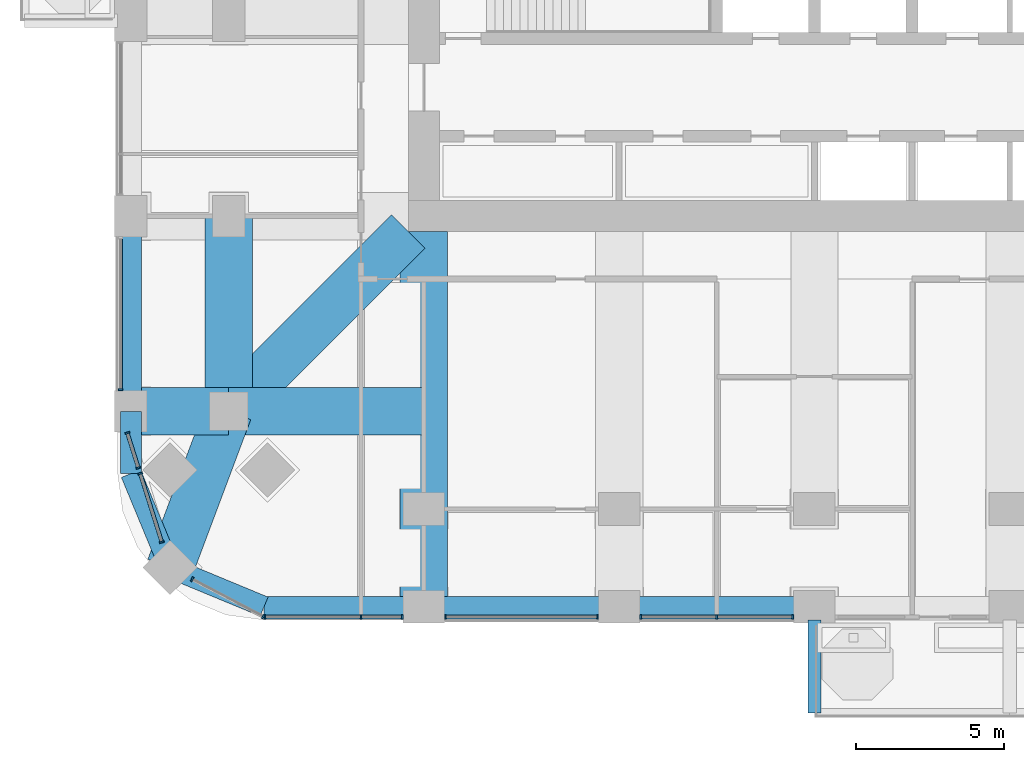
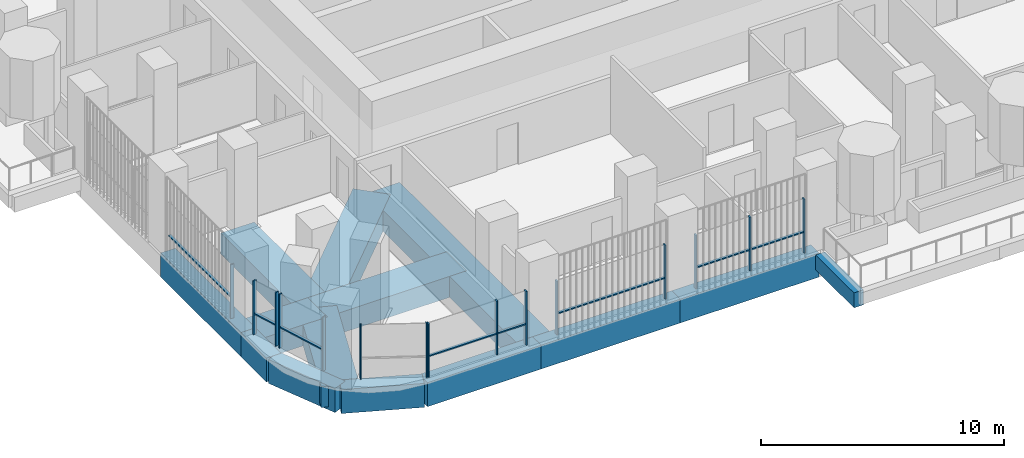
# One storey, part 2 of 23: 23 members, 14 beams, 7 elements without a shape of their own.
"""IFC4 building model written with IfcOpenShell, lengths in metres."""

from ifc_helpers import new_model, si_unit, direction, frame, origin, origin_2d, place, context, subcontext, project, spatial, rectangle, extrude, material, material_profile, profile_set, type_object, element, aggregate, save


model = new_model("IFC4")

# Units and contexts
model_context = context("Model", 3, precision=1e-05, world=origin(), true_north=direction((0.0, 1.0)))
body_context = subcontext(model_context, "Body", "Model", "MODEL_VIEW")
ifc_project = project(units=[si_unit("LENGTHUNIT", "METRE"), si_unit("AREAUNIT", "SQUARE_METRE"), si_unit("VOLUMEUNIT", "CUBIC_METRE"), si_unit("PLANEANGLEUNIT", "RADIAN"), si_unit("MASSUNIT", "GRAM", prefix="KILO")], contexts=[model_context])

# Site, building, storey
site_placement = place(None, origin())
site = spatial("IfcSite", under=ifc_project, at=site_placement, CompositionType="ELEMENT")
building_placement = place(site_placement, origin())
building = spatial("IfcBuilding", under=site, at=building_placement, Name="Cobogo Forest Laboratory Tower", CompositionType="ELEMENT")
storey_placement = place(building_placement, frame((0.0, 0.0, 128.39990234375)))
storey = spatial("IfcBuildingStorey", under=building, at=storey_placement, Name="L29", CompositionType="ELEMENT", Elevation=128.39990234375)

# Beams
ifc_material_1 = material(Name="Concrete HA-40 (C40/50)", Category="concrete")
ifc_material_profile_1 = material_profile(ifc_material_1, rectangle(XDim=0.449951171875, YDim=0.75, at=origin_2d()), Name="RC 450x750")
ifc_profile_set_1 = profile_set([ifc_material_profile_1], Name="Concrete HA-40 (C40/50)")
beam_type_1 = type_object("IfcBeamType", Name="Balcony cantilever beam 450x750", PredefinedType="BEAM", material=ifc_profile_set_1)
beam_1_placement = place(storey_placement, frame((26.39990234375, -0.449951171875, -0.625), z_axis=(0.0, -1.0, 0.0), x_axis=(1.0, 0.0, 0.0)))
element("IfcBeam", 1, at=beam_1_placement, inside=storey, type_object=beam_type_1, Name="CB1 BAL-S1-C1 L29", PredefinedType="BEAM", context=body_context, shape_type="SweptSolid", body=[
    extrude(rectangle(XDim=0.449951171875, YDim=0.75, at=origin_2d()), origin(), (0.0, 0.0, 1.0), 3.150146484375),
])
ifc_material_2 = material(Name="Concrete HA-50 (C50/60)", Category="concrete")
ifc_material_profile_2 = material_profile(ifc_material_2, rectangle(XDim=1.60009765625, YDim=1.050048828125, at=origin_2d()), Name="RC 1600x1050")
ifc_profile_set_2 = profile_set([ifc_material_profile_2], Name="Concrete HA-50 (C50/60)")
beam_type_2 = type_object("IfcBeamType", Name="Laboratory floor wide beam 1600x1050", PredefinedType="BEAM", material=ifc_profile_set_2)
beam_2_placement = place(storey_placement, frame((13.199951171875, 12.675048828125, -0.824951171875), z_axis=(0.0, -1.0, 0.0), x_axis=(1.0, 0.0, 0.0)))
element("IfcBeam", 2, at=beam_2_placement, inside=storey, type_object=beam_type_2, Name="RB8 R-3-S L29", PredefinedType="BEAM", context=body_context, shape_type="SweptSolid", body=[
    extrude(rectangle(XDim=1.60009765625, YDim=1.050048828125, at=origin_2d()), origin(), (0.0, 0.0, 1.0), 12.675048828125),
])
beam_3_placement = place(storey_placement, frame((6.60009765625, 6.60009765625, -0.824951171875), z_axis=(0.0, 1.0, 0.0), x_axis=(-1.0, 0.0, 0.0)))
element("IfcBeam", 3, at=beam_3_placement, inside=storey, type_object=beam_type_2, Name="RB8 G-SW-XC L29", PredefinedType="BEAM", context=body_context, shape_type="SweptSolid", body=[
    extrude(rectangle(XDim=1.60009765625, YDim=1.050048828125, at=origin_2d()), origin(), (0.0, 0.0, 1.0), 6.599853515625),
])
beam_4_placement = place(storey_placement, frame((3.300048828125, 6.60009765625, -0.824951171875), z_axis=(1.0, 0.0, 0.0), x_axis=(0.0, 1.0, 0.0)))
element("IfcBeam", 4, at=beam_4_placement, inside=storey, type_object=beam_type_2, Name="RB8 G-SW-YF L29", PredefinedType="BEAM", context=body_context, shape_type="SweptSolid", body=[
    extrude(rectangle(XDim=1.60009765625, YDim=1.050048828125, at=origin_2d()), origin(), (0.0, 0.0, 1.0), 3.300048828125),
])
beam_5_placement = place(storey_placement, frame((6.60009765625, 6.60009765625, -0.824951171875), z_axis=(1.0, 0.0, 0.0), x_axis=(0.0, 1.0, 0.0)))
element("IfcBeam", 5, at=beam_5_placement, inside=storey, type_object=beam_type_2, Name="RB8 G-SW-YC L29", PredefinedType="BEAM", context=body_context, shape_type="SweptSolid", body=[
    extrude(rectangle(XDim=1.60009765625, YDim=1.050048828125, at=origin_2d()), origin(), (0.0, 0.0, 1.0), 6.599853515625),
])
beam_6_placement = place(storey_placement, frame((4.617919921875, 1.318115234375, -0.824951171875), z_axis=(0.351346325373, 0.936245565889, 0.0), x_axis=(-0.936245565889, 0.351346325373, 0.0)))
element("IfcBeam", 6, at=beam_6_placement, inside=storey, type_object=beam_type_2, Name="RB8 G-SW-D1 L29", PredefinedType="BEAM", context=body_context, shape_type="SweptSolid", body=[
    extrude(rectangle(XDim=1.60009765625, YDim=1.050048828125, at=origin_2d()), origin(), (0.0, 0.0, 1.0), 5.6416015625),
])
beam_7_placement = place(storey_placement, frame((6.60009765625, 6.60009765625, -0.824951171875), z_axis=(0.707106781187, 0.707106781187, 0.0), x_axis=(-0.707106781187, 0.707106781187, 0.0)))
element("IfcBeam", 7, at=beam_7_placement, inside=storey, type_object=beam_type_2, Name="RB8 G-SW-D2 L29", PredefinedType="BEAM", context=body_context, shape_type="SweptSolid", body=[
    extrude(rectangle(XDim=1.60009765625, YDim=1.050048828125, at=origin_2d()), origin(), (0.0, 0.0, 1.0), 8.59130859375),
])

# Curtain wall, members
ifc_material_3 = material(Name="Aluminium curtain wall", Category="aluminium")
curtain_wall_type = type_object("IfcCurtainWallType", Name="CW-1 unitised curtain wall, clear glazing, laboratory floors zones A and B", PredefinedType="USERDEFINED", material=ifc_material_3)
curtain_wall_1_placement = place(storey_placement, origin())
curtain_wall_1 = element("IfcCurtainWall", 8, at=curtain_wall_1_placement, inside=storey, type_object=curtain_wall_type, Name="Curtain wall 01 L29", ObjectType="UNITISED CURTAIN WALL", PredefinedType="USERDEFINED")
ifc_material_4 = material(Name="Aluminium mullion", Category="aluminium")
ifc_material_profile_3 = material_profile(ifc_material_4, rectangle(XDim=0.06005859375, YDim=0.159912109375, at=origin_2d()), Name="AL 60x160")
ifc_profile_set_3 = profile_set([ifc_material_profile_3], Name="Aluminium mullion")
member_type_1 = type_object("IfcMemberType", Name="MU-1 aluminium mullion 60x160", PredefinedType="MULLION", material=ifc_profile_set_3)
member_1_placement = place(storey_placement, frame((7.830078125, -0.35009765625, 0.0), z_axis=(0.0, 0.0, 1.0), x_axis=(1.0, 0.0, 0.0)))
member_1 = element("IfcMember", 9, at=member_1_placement, type_object=member_type_1, Name="CW-1 mullion 1", PredefinedType="MULLION", context=body_context, shape_type="SweptSolid", body=[
    extrude(rectangle(XDim=0.06005859375, YDim=0.159912109375, at=origin_2d()), origin(), (0.0, 0.0, 1.0), 2.7001953125),
])
member_2_placement = place(storey_placement, frame((11.074951171875, -0.35009765625, 0.0), z_axis=(0.0, 0.0, 1.0), x_axis=(1.0, 0.0, 0.0)))
member_2 = element("IfcMember", 10, at=member_2_placement, type_object=member_type_1, Name="CW-1 mullion 2", PredefinedType="MULLION", context=body_context, shape_type="SweptSolid", body=[
    extrude(rectangle(XDim=0.06005859375, YDim=0.159912109375, at=origin_2d()), origin(), (0.0, 0.0, 1.0), 2.7001953125),
])
member_3_placement = place(storey_placement, frame((12.469970703125, -0.35009765625, 0.0), z_axis=(0.0, 0.0, 1.0), x_axis=(1.0, 0.0, 0.0)))
member_3 = element("IfcMember", 11, at=member_3_placement, type_object=member_type_1, Name="CW-1 mullion 3", PredefinedType="MULLION", context=body_context, shape_type="SweptSolid", body=[
    extrude(rectangle(XDim=0.06005859375, YDim=0.159912109375, at=origin_2d()), origin(), (0.0, 0.0, 1.0), 2.7001953125),
])

curtain_wall_2_placement = place(storey_placement, origin())
curtain_wall_2 = element("IfcCurtainWall", 12, at=curtain_wall_2_placement, inside=storey, type_object=curtain_wall_type, Name="Curtain wall 02 L29", ObjectType="UNITISED CURTAIN WALL", PredefinedType="USERDEFINED")
member_4_placement = place(storey_placement, frame((13.929931640625, -0.35009765625, 0.0), z_axis=(0.0, 0.0, 1.0), x_axis=(1.0, 0.0, 0.0)))
member_4 = element("IfcMember", 13, at=member_4_placement, type_object=member_type_1, Name="CW-1 mullion 1", PredefinedType="MULLION", context=body_context, shape_type="SweptSolid", body=[
    extrude(rectangle(XDim=0.06005859375, YDim=0.159912109375, at=origin_2d()), origin(), (0.0, 0.0, 1.0), 2.7001953125),
])
member_5_placement = place(storey_placement, frame((19.070068359375, -0.35009765625, 0.0), z_axis=(0.0, 0.0, 1.0), x_axis=(1.0, 0.0, 0.0)))
member_5 = element("IfcMember", 14, at=member_5_placement, type_object=member_type_1, Name="CW-1 mullion 2", PredefinedType="MULLION", context=body_context, shape_type="SweptSolid", body=[
    extrude(rectangle(XDim=0.06005859375, YDim=0.159912109375, at=origin_2d()), origin(), (0.0, 0.0, 1.0), 2.7001953125),
])

curtain_wall_3_placement = place(storey_placement, origin())
curtain_wall_3 = element("IfcCurtainWall", 15, at=curtain_wall_3_placement, inside=storey, type_object=curtain_wall_type, Name="Curtain wall 03 L29", ObjectType="UNITISED CURTAIN WALL", PredefinedType="USERDEFINED")
member_6_placement = place(storey_placement, frame((20.530029296875, -0.35009765625, 0.0), z_axis=(0.0, 0.0, 1.0), x_axis=(1.0, 0.0, 0.0)))
member_6 = element("IfcMember", 16, at=member_6_placement, type_object=member_type_1, Name="CW-1 mullion 1", PredefinedType="MULLION", context=body_context, shape_type="SweptSolid", body=[
    extrude(rectangle(XDim=0.06005859375, YDim=0.159912109375, at=origin_2d()), origin(), (0.0, 0.0, 1.0), 2.7001953125),
])
member_7_placement = place(storey_placement, frame((23.10009765625, -0.35009765625, 0.0), z_axis=(0.0, 0.0, 1.0), x_axis=(1.0, 0.0, 0.0)))
member_7 = element("IfcMember", 17, at=member_7_placement, type_object=member_type_1, Name="CW-1 mullion 2", PredefinedType="MULLION", context=body_context, shape_type="SweptSolid", body=[
    extrude(rectangle(XDim=0.06005859375, YDim=0.159912109375, at=origin_2d()), origin(), (0.0, 0.0, 1.0), 2.7001953125),
])
member_8_placement = place(storey_placement, frame((25.669921875, -0.35009765625, 0.0), z_axis=(0.0, 0.0, 1.0), x_axis=(1.0, 0.0, 0.0)))
member_8 = element("IfcMember", 18, at=member_8_placement, type_object=member_type_1, Name="CW-1 mullion 3", PredefinedType="MULLION", context=body_context, shape_type="SweptSolid", body=[
    extrude(rectangle(XDim=0.06005859375, YDim=0.159912109375, at=origin_2d()), origin(), (0.0, 0.0, 1.0), 2.7001953125),
])

# Curtain wall, member
curtain_wall_4_placement = place(storey_placement, origin())
curtain_wall_4 = element("IfcCurtainWall", 19, at=curtain_wall_4_placement, inside=storey, type_object=curtain_wall_type, Name="Curtain wall 31 L29", ObjectType="UNITISED CURTAIN WALL", PredefinedType="USERDEFINED")
member_9_placement = place(storey_placement, frame((2.949951171875, 7.330078125, 0.0), z_axis=(0.0, 0.0, 1.0), x_axis=(0.0, -1.0, 0.0)))
member_9 = element("IfcMember", 20, at=member_9_placement, type_object=member_type_1, Name="CW-1 mullion 2", PredefinedType="MULLION", context=body_context, shape_type="SweptSolid", body=[
    extrude(rectangle(XDim=0.06005859375, YDim=0.159912109375, at=origin_2d()), origin(), (0.0, 0.0, 1.0), 2.7001953125),
])

# Curtain wall, members
curtain_wall_5_placement = place(storey_placement, origin())
curtain_wall_5 = element("IfcCurtainWall", 21, at=curtain_wall_5_placement, inside=storey, type_object=curtain_wall_type, Name="Curtain wall 32 L29", ObjectType="UNITISED CURTAIN WALL", PredefinedType="USERDEFINED")
member_10_placement = place(storey_placement, frame((3.18017578125, 5.871337890625, 0.0), z_axis=(0.0, 0.0, 1.0), x_axis=(0.301135356805, -0.953581405483, 0.0)))
member_10 = element("IfcMember", 22, at=member_10_placement, type_object=member_type_1, Name="CW-1 mullion 1", PredefinedType="MULLION", context=body_context, shape_type="SweptSolid", body=[
    extrude(rectangle(XDim=0.06005859375, YDim=0.159912109375, at=origin_2d()), origin(), (0.0, 0.0, 1.0), 2.7001953125),
])
member_11_placement = place(storey_placement, frame((3.55224609375, 4.69287109375, 0.0), z_axis=(0.0, 0.0, 1.0), x_axis=(0.301135356805, -0.953581405483, 0.0)))
member_11 = element("IfcMember", 23, at=member_11_placement, type_object=member_type_1, Name="CW-1 mullion 2", PredefinedType="MULLION", context=body_context, shape_type="SweptSolid", body=[
    extrude(rectangle(XDim=0.06005859375, YDim=0.159912109375, at=origin_2d()), origin(), (0.0, 0.0, 1.0), 2.7001953125),
])

curtain_wall_6_placement = place(storey_placement, origin())
curtain_wall_6 = element("IfcCurtainWall", 24, at=curtain_wall_6_placement, inside=storey, type_object=curtain_wall_type, Name="Curtain wall 33 L29", ObjectType="UNITISED CURTAIN WALL", PredefinedType="USERDEFINED")
member_12_placement = place(storey_placement, frame((3.613037109375, 4.500244140625, 0.0), z_axis=(0.0, 0.0, 1.0), x_axis=(0.301135291996, -0.953581425949, 0.0)))
member_12 = element("IfcMember", 25, at=member_12_placement, type_object=member_type_1, Name="CW-1 mullion 1", PredefinedType="MULLION", context=body_context, shape_type="SweptSolid", body=[
    extrude(rectangle(XDim=0.06005859375, YDim=0.159912109375, at=origin_2d()), origin(), (0.0, 0.0, 1.0), 2.7001953125),
])
member_13_placement = place(storey_placement, frame((4.34423828125, 2.18505859375, 0.0), z_axis=(0.0, 0.0, 1.0), x_axis=(0.301135291996, -0.953581425949, 0.0)))
member_13 = element("IfcMember", 26, at=member_13_placement, type_object=member_type_1, Name="CW-1 mullion 2", PredefinedType="MULLION", context=body_context, shape_type="SweptSolid", body=[
    extrude(rectangle(XDim=0.06005859375, YDim=0.159912109375, at=origin_2d()), origin(), (0.0, 0.0, 1.0), 2.7001953125),
])

curtain_wall_7_placement = place(storey_placement, origin())
curtain_wall_7 = element("IfcCurtainWall", 27, at=curtain_wall_7_placement, inside=storey, type_object=curtain_wall_type, Name="Curtain wall 34 L29", ObjectType="UNITISED CURTAIN WALL", PredefinedType="USERDEFINED")
member_14_placement = place(storey_placement, frame((5.368408203125, 0.9248046875, 0.0), z_axis=(0.0, 0.0, 1.0), x_axis=(0.885686547075, -0.464283685186, 0.0)))
member_14 = element("IfcMember", 28, at=member_14_placement, type_object=member_type_1, Name="CW-1 mullion 1", PredefinedType="MULLION", context=body_context, shape_type="SweptSolid", body=[
    extrude(rectangle(XDim=0.06005859375, YDim=0.159912109375, at=origin_2d()), origin(), (0.0, 0.0, 1.0), 2.7001953125),
])
member_15_placement = place(storey_placement, frame((7.7734375, -0.336181640625, 0.0), z_axis=(0.0, 0.0, 1.0), x_axis=(0.885686547075, -0.464283685186, 0.0)))
member_15 = element("IfcMember", 29, at=member_15_placement, type_object=member_type_1, Name="CW-1 mullion 2", PredefinedType="MULLION", context=body_context, shape_type="SweptSolid", body=[
    extrude(rectangle(XDim=0.06005859375, YDim=0.159912109375, at=origin_2d()), origin(), (0.0, 0.0, 1.0), 2.7001953125),
])
aggregate(curtain_wall_7, [member_14, member_15])

# Beams
ifc_material_profile_4 = material_profile(ifc_material_1, rectangle(XDim=0.699951171875, YDim=1.199951171875, at=origin_2d()), Name="RC 700x1200")
ifc_profile_set_4 = profile_set([ifc_material_profile_4], Name="Concrete HA-40 (C40/50)")
beam_type_3 = type_object("IfcBeamType", Name="Perimeter edge beam 700x1200", PredefinedType="BEAM", material=ifc_profile_set_4)
beam_8_placement = place(storey_placement, frame((13.199951171875, 0.0, -0.89990234375), z_axis=(1.0, 0.0, 0.0), x_axis=(0.0, 1.0, 0.0)))
element("IfcBeam", 30, at=beam_8_placement, inside=storey, type_object=beam_type_3, Name="EB1 E-S1 L29", PredefinedType="BEAM", context=body_context, shape_type="SweptSolid", body=[
    extrude(rectangle(XDim=0.699951171875, YDim=1.199951171875, at=origin_2d()), origin(), (0.0, 0.0, 1.0), 6.60009765625),
])
for number, where, z_axis, x_axis, name in (
    (31, (19.800048828125, 0.0, -0.89990234375), (1.0, 0.0, 0.0), (0.0, 1.0, 0.0), "EB1 E-S2 L29"),
    (32, (3.300048828125, 6.60009765625, -0.89990234375), (0.0, 1.0, 0.0), (-1.0, 0.0, 0.0), "EB1 E-W1 L29"),
):
    element("IfcBeam", number, at=place(storey_placement, frame(where, z_axis=z_axis, x_axis=x_axis)), inside=storey, type_object=beam_type_3, Name=name, PredefinedType="BEAM", context=body_context, shape_type="SweptSolid", body=[
        extrude(rectangle(XDim=0.699951171875, YDim=1.199951171875, at=origin_2d()), origin(), (0.0, 0.0, 1.0), 6.599853515625),
    ])
beam_9_placement = place(storey_placement, frame((13.199951171875, 0.0, -0.89990234375), z_axis=(-1.0, 0.0, 0.0), x_axis=(0.0, -1.0, 0.0)))
element("IfcBeam", 33, at=beam_9_placement, inside=storey, type_object=beam_type_3, Name="EB1 E-SWS1 L29", PredefinedType="BEAM", context=body_context, shape_type="SweptSolid", body=[
    extrude(rectangle(XDim=0.699951171875, YDim=1.199951171875, at=origin_2d()), origin(), (0.0, 0.0, 1.0), 5.39990234375),
])
beam_10_placement = place(storey_placement, frame((7.800048828125, 0.0, -0.89990234375), z_axis=(-0.923876013265, 0.382691928466, 0.0), x_axis=(-0.382691928466, -0.923876013265, 0.0)))
element("IfcBeam", 34, at=beam_10_placement, inside=storey, type_object=beam_type_3, Name="EB1 E-SWS2 L29", PredefinedType="BEAM", context=body_context, shape_type="SweptSolid", body=[
    extrude(rectangle(XDim=0.699951171875, YDim=1.199951171875, at=origin_2d()), origin(), (0.0, 0.0, 1.0), 3.4443359375),
])
beam_11_placement = place(storey_placement, frame((3.300048828125, 6.60009765625, -0.89990234375), z_axis=(0.0, -1.0, 0.0), x_axis=(1.0, 0.0, 0.0)))
element("IfcBeam", 35, at=beam_11_placement, inside=storey, type_object=beam_type_3, Name="EB1 E-SWW1 L29", PredefinedType="BEAM", context=body_context, shape_type="SweptSolid", body=[
    extrude(rectangle(XDim=0.699951171875, YDim=1.199951171875, at=origin_2d()), origin(), (0.0, 0.0, 1.0), 2.10009765625),
])
beam_12_placement = place(storey_placement, frame((3.300048828125, 4.5, -0.89990234375), z_axis=(0.382656484822, -0.923890694089, 0.0), x_axis=(0.923890694089, 0.382656484822, 0.0)))
element("IfcBeam", 36, at=beam_12_placement, inside=storey, type_object=beam_type_3, Name="EB1 E-SWW2 L29", PredefinedType="BEAM", context=body_context, shape_type="SweptSolid", body=[
    extrude(rectangle(XDim=0.699951171875, YDim=1.199951171875, at=origin_2d()), origin(), (0.0, 0.0, 1.0), 3.444091796875),
])

# Member
ifc_material_5 = material(Name="Aluminium transom", Category="aluminium")
ifc_material_profile_5 = material_profile(ifc_material_5, rectangle(XDim=0.1201171875, YDim=0.06005859375, at=origin_2d()), Name="AL 60x120")
ifc_profile_set_5 = profile_set([ifc_material_profile_5], Name="Aluminium transom")
member_type_2 = type_object("IfcMemberType", Name="TR-1 aluminium transom 60x120", PredefinedType="USERDEFINED", material=ifc_profile_set_5)
member_16_placement = place(storey_placement, frame((7.860107421875, -0.35009765625, 1.050048828125), z_axis=(1.0, 0.0, 0.0), x_axis=(0.0, 1.0, 0.0)))
member_16 = element("IfcMember", 37, at=member_16_placement, type_object=member_type_2, Name="CW-1 transom 1.1", ObjectType="TRANSOM", PredefinedType="USERDEFINED", context=body_context, shape_type="SweptSolid", body=[
    extrude(rectangle(XDim=0.1201171875, YDim=0.06005859375, at=origin_2d()), origin(), (0.0, 0.0, 1.0), 3.184814453125),
])

member_17_placement = place(storey_placement, frame((11.10498046875, -0.35009765625, 1.050048828125), z_axis=(1.0, 0.0, 0.0), x_axis=(0.0, 1.0, 0.0)))
member_17 = element("IfcMember", 38, at=member_17_placement, type_object=member_type_2, Name="CW-1 transom 2.1", ObjectType="TRANSOM", PredefinedType="USERDEFINED", context=body_context, shape_type="SweptSolid", body=[
    extrude(rectangle(XDim=0.1201171875, YDim=0.06005859375, at=origin_2d()), origin(), (0.0, 0.0, 1.0), 1.3349609375),
])

aggregate(curtain_wall_1, [member_1, member_2, member_3, member_16, member_17])

member_18_placement = place(storey_placement, frame((13.9599609375, -0.35009765625, 1.050048828125), z_axis=(1.0, 0.0, 0.0), x_axis=(0.0, 1.0, 0.0)))
member_18 = element("IfcMember", 39, at=member_18_placement, type_object=member_type_2, Name="CW-1 transom 1.1", ObjectType="TRANSOM", PredefinedType="USERDEFINED", context=body_context, shape_type="SweptSolid", body=[
    extrude(rectangle(XDim=0.1201171875, YDim=0.06005859375, at=origin_2d()), origin(), (0.0, 0.0, 1.0), 5.080078125),
])

aggregate(curtain_wall_2, [member_4, member_5, member_18])

member_19_placement = place(storey_placement, frame((20.56005859375, -0.35009765625, 1.050048828125), z_axis=(1.0, 0.0, 0.0), x_axis=(0.0, 1.0, 0.0)))
member_19 = element("IfcMember", 40, at=member_19_placement, type_object=member_type_2, Name="CW-1 transom 1.1", ObjectType="TRANSOM", PredefinedType="USERDEFINED", context=body_context, shape_type="SweptSolid", body=[
    extrude(rectangle(XDim=0.1201171875, YDim=0.06005859375, at=origin_2d()), origin(), (0.0, 0.0, 1.0), 2.510009765625),
])

member_20_placement = place(storey_placement, frame((23.1298828125, -0.35009765625, 1.050048828125), z_axis=(1.0, 0.0, 0.0), x_axis=(0.0, 1.0, 0.0)))
member_20 = element("IfcMember", 41, at=member_20_placement, type_object=member_type_2, Name="CW-1 transom 2.1", ObjectType="TRANSOM", PredefinedType="USERDEFINED", context=body_context, shape_type="SweptSolid", body=[
    extrude(rectangle(XDim=0.1201171875, YDim=0.06005859375, at=origin_2d()), origin(), (0.0, 0.0, 1.0), 2.510009765625),
])

aggregate(curtain_wall_3, [member_6, member_7, member_8, member_19, member_20])

member_21_placement = place(storey_placement, frame((2.949951171875, 12.43994140625, 1.050048828125), z_axis=(0.0, -1.0, 0.0), x_axis=(1.0, 0.0, 0.0)))
member_21 = element("IfcMember", 42, at=member_21_placement, type_object=member_type_2, Name="CW-1 transom 1.1", ObjectType="TRANSOM", PredefinedType="USERDEFINED", context=body_context, shape_type="SweptSolid", body=[
    extrude(rectangle(XDim=0.1201171875, YDim=0.06005859375, at=origin_2d()), origin(), (0.0, 0.0, 1.0), 5.079833984375),
])

aggregate(curtain_wall_4, [member_9, member_21])

member_22_placement = place(storey_placement, frame((3.189208984375, 5.8427734375, 1.050048828125), z_axis=(0.301111490799, -0.953588941897, 0.0), x_axis=(0.953588941897, 0.301111490799, 0.0)))
member_22 = element("IfcMember", 43, at=member_22_placement, type_object=member_type_2, Name="CW-1 transom 1.1", ObjectType="TRANSOM", PredefinedType="USERDEFINED", context=body_context, shape_type="SweptSolid", body=[
    extrude(rectangle(XDim=0.1201171875, YDim=0.06005859375, at=origin_2d()), origin(), (0.0, 0.0, 1.0), 1.175537109375),
])

aggregate(curtain_wall_5, [member_10, member_11, member_22])

member_23_placement = place(storey_placement, frame((3.6220703125, 4.4716796875, 1.050048828125), z_axis=(0.301156039198, -0.953574873859, 0.0), x_axis=(0.953574873859, 0.301156039198, 0.0)))
member_23 = element("IfcMember", 44, at=member_23_placement, type_object=member_type_2, Name="CW-1 transom 1.1", ObjectType="TRANSOM", PredefinedType="USERDEFINED", context=body_context, shape_type="SweptSolid", body=[
    extrude(rectangle(XDim=0.1201171875, YDim=0.06005859375, at=origin_2d()), origin(), (0.0, 0.0, 1.0), 2.367919921875),
])

aggregate(curtain_wall_6, [member_12, member_13, member_23])

save(model, "model.ifc")
